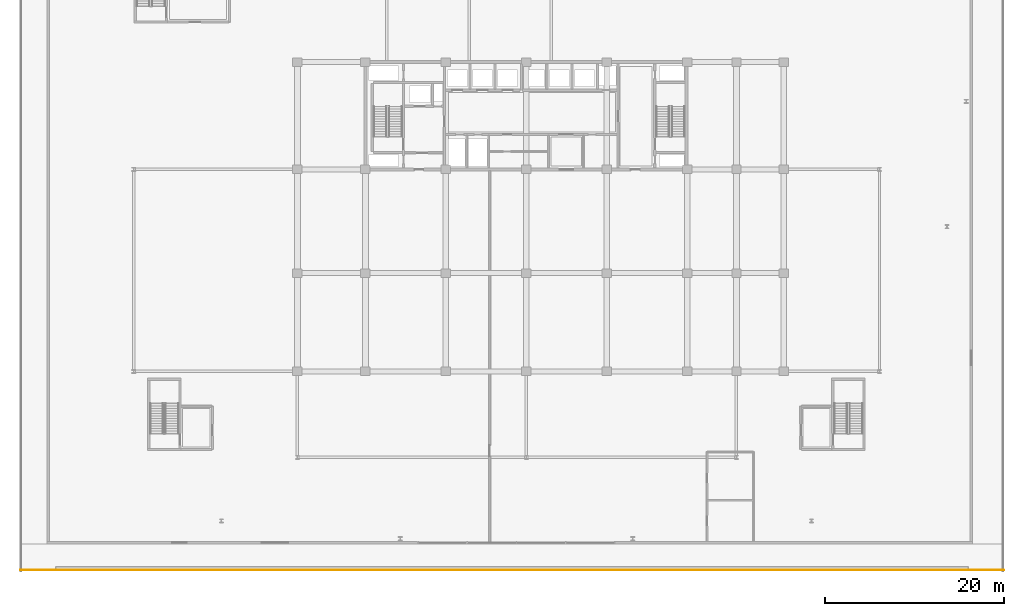
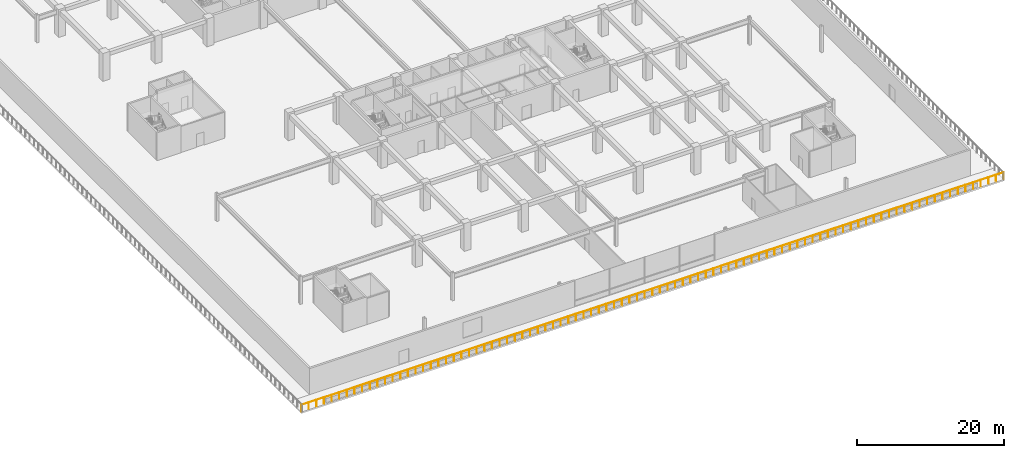
# One storey, part 33 of 45: 1 railing.
"""IFC4 building model written with IfcOpenShell, lengths in metres."""

from ifc_helpers import new_model, si_unit, direction, frame, origin, origin_2d, place, context, subcontext, project, spatial, circle, extrude, material, type_object, element, save


model = new_model("IFC4")

# Units and contexts
model_context = context("Model", 3, precision=1e-05, world=origin(), true_north=direction((0.0, 1.0)))
body_context = subcontext(model_context, "Body", "Model", "MODEL_VIEW")
ifc_project = project(units=[si_unit("LENGTHUNIT", "METRE"), si_unit("AREAUNIT", "SQUARE_METRE"), si_unit("VOLUMEUNIT", "CUBIC_METRE"), si_unit("PLANEANGLEUNIT", "RADIAN"), si_unit("MASSUNIT", "GRAM", prefix="KILO")], contexts=[model_context])

# Site, building, storey
site_placement = place(None, origin())
site = spatial("IfcSite", under=ifc_project, at=site_placement, CompositionType="ELEMENT")
building_placement = place(site_placement, origin())
building = spatial("IfcBuilding", under=site, at=building_placement, Name="Korimba Cascade Residences", CompositionType="ELEMENT")
storey_placement = place(building_placement, frame((0.0, 0.0, 5.39990234375)))
storey = spatial("IfcBuildingStorey", under=building, at=storey_placement, Name="L01", CompositionType="ELEMENT", Elevation=5.39990234375)

# Railing
ifc_material = material(Name="Painted Galvanised Steel Terrace Guardrail", Category="steel")
railing_type = type_object("IfcRailingType", Name="RLG-TER-1150", PredefinedType="GUARDRAIL", material=ifc_material)
railing_placement = place(storey_placement, frame((43.5, -26.419921875, 0.0)))
element("IfcRailing", 1, at=railing_placement, inside=storey, type_object=railing_type, Name="L01 Perimeter Guardrail RLG-L01-TER-01", PredefinedType="GUARDRAIL", context=body_context, shape_type="SweptSolid", body=[
    extrude(circle(Radius=0.02392578125, at=origin_2d()), frame((0.0, 0.0, 1.1259765625), z_axis=(1.0, 0.0, 0.0), x_axis=(0.0, 1.0, 0.0)), (0.0, 0.0, 1.0), 110.0),
    extrude(circle(Radius=0.02099609375, at=origin_2d()), origin(), (0.0, 0.0, 1.0), 1.101806640625),
    extrude(circle(Radius=0.02099609375, at=origin_2d()), frame((1.195556640625, 0.0, 0.0)), (0.0, 0.0, 1.0), 1.101806640625),
    extrude(circle(Radius=0.02099609375, at=origin_2d()), frame((2.391357421875, 0.0, 0.0)), (0.0, 0.0, 1.0), 1.101806640625),
    extrude(circle(Radius=0.02099609375, at=origin_2d()), frame((3.5869140625, 0.0, 0.0)), (0.0, 0.0, 1.0), 1.101806640625),
    extrude(circle(Radius=0.02099609375, at=origin_2d()), frame((4.78271484375, 0.0, 0.0)), (0.0, 0.0, 1.0), 1.101806640625),
    extrude(circle(Radius=0.02099609375, at=origin_2d()), frame((5.978271484375, 0.0, 0.0)), (0.0, 0.0, 1.0), 1.101806640625),
    extrude(circle(Radius=0.02099609375, at=origin_2d()), frame((7.173828125, 0.0, 0.0)), (0.0, 0.0, 1.0), 1.101806640625),
    extrude(circle(Radius=0.02099609375, at=origin_2d()), frame((8.36962890625, 0.0, 0.0)), (0.0, 0.0, 1.0), 1.101806640625),
    extrude(circle(Radius=0.02099609375, at=origin_2d()), frame((9.565185546875, 0.0, 0.0)), (0.0, 0.0, 1.0), 1.101806640625),
    extrude(circle(Radius=0.02099609375, at=origin_2d()), frame((10.760986328125, 0.0, 0.0)), (0.0, 0.0, 1.0), 1.101806640625),
    extrude(circle(Radius=0.02099609375, at=origin_2d()), frame((11.95654296875, 0.0, 0.0)), (0.0, 0.0, 1.0), 1.101806640625),
    extrude(circle(Radius=0.02099609375, at=origin_2d()), frame((13.152099609375, 0.0, 0.0)), (0.0, 0.0, 1.0), 1.101806640625),
    extrude(circle(Radius=0.02099609375, at=origin_2d()), frame((14.347900390625, 0.0, 0.0)), (0.0, 0.0, 1.0), 1.101806640625),
    extrude(circle(Radius=0.02099609375, at=origin_2d()), frame((15.54345703125, 0.0, 0.0)), (0.0, 0.0, 1.0), 1.101806640625),
    extrude(circle(Radius=0.02099609375, at=origin_2d()), frame((16.739013671875, 0.0, 0.0)), (0.0, 0.0, 1.0), 1.101806640625),
    extrude(circle(Radius=0.02099609375, at=origin_2d()), frame((17.934814453125, 0.0, 0.0)), (0.0, 0.0, 1.0), 1.101806640625),
    extrude(circle(Radius=0.02099609375, at=origin_2d()), frame((19.13037109375, 0.0, 0.0)), (0.0, 0.0, 1.0), 1.101806640625),
    extrude(circle(Radius=0.02099609375, at=origin_2d()), frame((20.326171875, 0.0, 0.0)), (0.0, 0.0, 1.0), 1.101806640625),
    extrude(circle(Radius=0.02099609375, at=origin_2d()), frame((21.521728515625, 0.0, 0.0)), (0.0, 0.0, 1.0), 1.101806640625),
    extrude(circle(Radius=0.02099609375, at=origin_2d()), frame((22.71728515625, 0.0, 0.0)), (0.0, 0.0, 1.0), 1.101806640625),
    extrude(circle(Radius=0.02099609375, at=origin_2d()), frame((23.9130859375, 0.0, 0.0)), (0.0, 0.0, 1.0), 1.101806640625),
    extrude(circle(Radius=0.02099609375, at=origin_2d()), frame((25.108642578125, 0.0, 0.0)), (0.0, 0.0, 1.0), 1.101806640625),
    extrude(circle(Radius=0.02099609375, at=origin_2d()), frame((26.304443359375, 0.0, 0.0)), (0.0, 0.0, 1.0), 1.101806640625),
    extrude(circle(Radius=0.02099609375, at=origin_2d()), frame((27.5, 0.0, 0.0)), (0.0, 0.0, 1.0), 1.101806640625),
    extrude(circle(Radius=0.02099609375, at=origin_2d()), frame((28.695556640625, 0.0, 0.0)), (0.0, 0.0, 1.0), 1.101806640625),
    extrude(circle(Radius=0.02099609375, at=origin_2d()), frame((29.891357421875, 0.0, 0.0)), (0.0, 0.0, 1.0), 1.101806640625),
    extrude(circle(Radius=0.02099609375, at=origin_2d()), frame((31.0869140625, 0.0, 0.0)), (0.0, 0.0, 1.0), 1.101806640625),
    extrude(circle(Radius=0.02099609375, at=origin_2d()), frame((32.28271484375, 0.0, 0.0)), (0.0, 0.0, 1.0), 1.101806640625),
    extrude(circle(Radius=0.02099609375, at=origin_2d()), frame((33.478271484375, 0.0, 0.0)), (0.0, 0.0, 1.0), 1.101806640625),
    extrude(circle(Radius=0.02099609375, at=origin_2d()), frame((34.673828125, 0.0, 0.0)), (0.0, 0.0, 1.0), 1.101806640625),
    extrude(circle(Radius=0.02099609375, at=origin_2d()), frame((35.86962890625, 0.0, 0.0)), (0.0, 0.0, 1.0), 1.101806640625),
    extrude(circle(Radius=0.02099609375, at=origin_2d()), frame((37.065185546875, 0.0, 0.0)), (0.0, 0.0, 1.0), 1.101806640625),
    extrude(circle(Radius=0.02099609375, at=origin_2d()), frame((38.260986328125, 0.0, 0.0)), (0.0, 0.0, 1.0), 1.101806640625),
    extrude(circle(Radius=0.02099609375, at=origin_2d()), frame((39.45654296875, 0.0, 0.0)), (0.0, 0.0, 1.0), 1.101806640625),
    extrude(circle(Radius=0.02099609375, at=origin_2d()), frame((40.652099609375, 0.0, 0.0)), (0.0, 0.0, 1.0), 1.101806640625),
    extrude(circle(Radius=0.02099609375, at=origin_2d()), frame((41.847900390625, 0.0, 0.0)), (0.0, 0.0, 1.0), 1.101806640625),
    extrude(circle(Radius=0.02099609375, at=origin_2d()), frame((43.04345703125, 0.0, 0.0)), (0.0, 0.0, 1.0), 1.101806640625),
    extrude(circle(Radius=0.02099609375, at=origin_2d()), frame((44.239013671875, 0.0, 0.0)), (0.0, 0.0, 1.0), 1.101806640625),
    extrude(circle(Radius=0.02099609375, at=origin_2d()), frame((45.434814453125, 0.0, 0.0)), (0.0, 0.0, 1.0), 1.101806640625),
    extrude(circle(Radius=0.02099609375, at=origin_2d()), frame((46.63037109375, 0.0, 0.0)), (0.0, 0.0, 1.0), 1.101806640625),
    extrude(circle(Radius=0.02099609375, at=origin_2d()), frame((47.826171875, 0.0, 0.0)), (0.0, 0.0, 1.0), 1.101806640625),
    extrude(circle(Radius=0.02099609375, at=origin_2d()), frame((49.021728515625, 0.0, 0.0)), (0.0, 0.0, 1.0), 1.101806640625),
    extrude(circle(Radius=0.02099609375, at=origin_2d()), frame((50.21728515625, 0.0, 0.0)), (0.0, 0.0, 1.0), 1.101806640625),
    extrude(circle(Radius=0.02099609375, at=origin_2d()), frame((51.4130859375, 0.0, 0.0)), (0.0, 0.0, 1.0), 1.101806640625),
    extrude(circle(Radius=0.02099609375, at=origin_2d()), frame((52.608642578125, 0.0, 0.0)), (0.0, 0.0, 1.0), 1.101806640625),
    extrude(circle(Radius=0.02099609375, at=origin_2d()), frame((53.804443359375, 0.0, 0.0)), (0.0, 0.0, 1.0), 1.101806640625),
    extrude(circle(Radius=0.02099609375, at=origin_2d()), frame((55.0, 0.0, 0.0)), (0.0, 0.0, 1.0), 1.101806640625),
    extrude(circle(Radius=0.02099609375, at=origin_2d()), frame((56.195556640625, 0.0, 0.0)), (0.0, 0.0, 1.0), 1.101806640625),
    extrude(circle(Radius=0.02099609375, at=origin_2d()), frame((57.391357421875, 0.0, 0.0)), (0.0, 0.0, 1.0), 1.101806640625),
    extrude(circle(Radius=0.02099609375, at=origin_2d()), frame((58.5869140625, 0.0, 0.0)), (0.0, 0.0, 1.0), 1.101806640625),
    extrude(circle(Radius=0.02099609375, at=origin_2d()), frame((59.78271484375, 0.0, 0.0)), (0.0, 0.0, 1.0), 1.101806640625),
    extrude(circle(Radius=0.02099609375, at=origin_2d()), frame((60.978271484375, 0.0, 0.0)), (0.0, 0.0, 1.0), 1.101806640625),
    extrude(circle(Radius=0.02099609375, at=origin_2d()), frame((62.173828125, 0.0, 0.0)), (0.0, 0.0, 1.0), 1.101806640625),
    extrude(circle(Radius=0.02099609375, at=origin_2d()), frame((63.36962890625, 0.0, 0.0)), (0.0, 0.0, 1.0), 1.101806640625),
    extrude(circle(Radius=0.02099609375, at=origin_2d()), frame((64.565185546875, 0.0, 0.0)), (0.0, 0.0, 1.0), 1.101806640625),
    extrude(circle(Radius=0.02099609375, at=origin_2d()), frame((65.760986328125, 0.0, 0.0)), (0.0, 0.0, 1.0), 1.101806640625),
    extrude(circle(Radius=0.02099609375, at=origin_2d()), frame((66.95654296875, 0.0, 0.0)), (0.0, 0.0, 1.0), 1.101806640625),
    extrude(circle(Radius=0.02099609375, at=origin_2d()), frame((68.152099609375, 0.0, 0.0)), (0.0, 0.0, 1.0), 1.101806640625),
    extrude(circle(Radius=0.02099609375, at=origin_2d()), frame((69.347900390625, 0.0, 0.0)), (0.0, 0.0, 1.0), 1.101806640625),
    extrude(circle(Radius=0.02099609375, at=origin_2d()), frame((70.54345703125, 0.0, 0.0)), (0.0, 0.0, 1.0), 1.101806640625),
    extrude(circle(Radius=0.02099609375, at=origin_2d()), frame((71.739013671875, 0.0, 0.0)), (0.0, 0.0, 1.0), 1.101806640625),
    extrude(circle(Radius=0.02099609375, at=origin_2d()), frame((72.934814453125, 0.0, 0.0)), (0.0, 0.0, 1.0), 1.101806640625),
    extrude(circle(Radius=0.02099609375, at=origin_2d()), frame((74.13037109375, 0.0, 0.0)), (0.0, 0.0, 1.0), 1.101806640625),
    extrude(circle(Radius=0.02099609375, at=origin_2d()), frame((75.326171875, 0.0, 0.0)), (0.0, 0.0, 1.0), 1.101806640625),
    extrude(circle(Radius=0.02099609375, at=origin_2d()), frame((76.521728515625, 0.0, 0.0)), (0.0, 0.0, 1.0), 1.101806640625),
    extrude(circle(Radius=0.02099609375, at=origin_2d()), frame((77.71728515625, 0.0, 0.0)), (0.0, 0.0, 1.0), 1.101806640625),
    extrude(circle(Radius=0.02099609375, at=origin_2d()), frame((78.9130859375, 0.0, 0.0)), (0.0, 0.0, 1.0), 1.101806640625),
    extrude(circle(Radius=0.02099609375, at=origin_2d()), frame((80.108642578125, 0.0, 0.0)), (0.0, 0.0, 1.0), 1.101806640625),
    extrude(circle(Radius=0.02099609375, at=origin_2d()), frame((81.304443359375, 0.0, 0.0)), (0.0, 0.0, 1.0), 1.101806640625),
    extrude(circle(Radius=0.02099609375, at=origin_2d()), frame((82.5, 0.0, 0.0)), (0.0, 0.0, 1.0), 1.101806640625),
    extrude(circle(Radius=0.02099609375, at=origin_2d()), frame((83.695556640625, 0.0, 0.0)), (0.0, 0.0, 1.0), 1.101806640625),
    extrude(circle(Radius=0.02099609375, at=origin_2d()), frame((84.891357421875, 0.0, 0.0)), (0.0, 0.0, 1.0), 1.101806640625),
    extrude(circle(Radius=0.02099609375, at=origin_2d()), frame((86.0869140625, 0.0, 0.0)), (0.0, 0.0, 1.0), 1.101806640625),
    extrude(circle(Radius=0.02099609375, at=origin_2d()), frame((87.28271484375, 0.0, 0.0)), (0.0, 0.0, 1.0), 1.101806640625),
    extrude(circle(Radius=0.02099609375, at=origin_2d()), frame((88.478271484375, 0.0, 0.0)), (0.0, 0.0, 1.0), 1.101806640625),
    extrude(circle(Radius=0.02099609375, at=origin_2d()), frame((89.673828125, 0.0, 0.0)), (0.0, 0.0, 1.0), 1.101806640625),
    extrude(circle(Radius=0.02099609375, at=origin_2d()), frame((90.86962890625, 0.0, 0.0)), (0.0, 0.0, 1.0), 1.101806640625),
    extrude(circle(Radius=0.02099609375, at=origin_2d()), frame((92.065185546875, 0.0, 0.0)), (0.0, 0.0, 1.0), 1.101806640625),
    extrude(circle(Radius=0.02099609375, at=origin_2d()), frame((93.260986328125, 0.0, 0.0)), (0.0, 0.0, 1.0), 1.101806640625),
    extrude(circle(Radius=0.02099609375, at=origin_2d()), frame((94.45654296875, 0.0, 0.0)), (0.0, 0.0, 1.0), 1.101806640625),
    extrude(circle(Radius=0.02099609375, at=origin_2d()), frame((95.652099609375, 0.0, 0.0)), (0.0, 0.0, 1.0), 1.101806640625),
    extrude(circle(Radius=0.02099609375, at=origin_2d()), frame((96.847900390625, 0.0, 0.0)), (0.0, 0.0, 1.0), 1.101806640625),
    extrude(circle(Radius=0.02099609375, at=origin_2d()), frame((98.04345703125, 0.0, 0.0)), (0.0, 0.0, 1.0), 1.101806640625),
    extrude(circle(Radius=0.02099609375, at=origin_2d()), frame((99.239013671875, 0.0, 0.0)), (0.0, 0.0, 1.0), 1.101806640625),
    extrude(circle(Radius=0.02099609375, at=origin_2d()), frame((100.434814453125, 0.0, 0.0)), (0.0, 0.0, 1.0), 1.101806640625),
    extrude(circle(Radius=0.02099609375, at=origin_2d()), frame((101.63037109375, 0.0, 0.0)), (0.0, 0.0, 1.0), 1.101806640625),
    extrude(circle(Radius=0.02099609375, at=origin_2d()), frame((102.826171875, 0.0, 0.0)), (0.0, 0.0, 1.0), 1.101806640625),
    extrude(circle(Radius=0.02099609375, at=origin_2d()), frame((104.021728515625, 0.0, 0.0)), (0.0, 0.0, 1.0), 1.101806640625),
    extrude(circle(Radius=0.02099609375, at=origin_2d()), frame((105.21728515625, 0.0, 0.0)), (0.0, 0.0, 1.0), 1.101806640625),
    extrude(circle(Radius=0.02099609375, at=origin_2d()), frame((106.4130859375, 0.0, 0.0)), (0.0, 0.0, 1.0), 1.101806640625),
    extrude(circle(Radius=0.02099609375, at=origin_2d()), frame((107.608642578125, 0.0, 0.0)), (0.0, 0.0, 1.0), 1.101806640625),
    extrude(circle(Radius=0.02099609375, at=origin_2d()), frame((108.804443359375, 0.0, 0.0)), (0.0, 0.0, 1.0), 1.101806640625),
    extrude(circle(Radius=0.02099609375, at=origin_2d()), frame((110.0, 0.0, 0.0)), (0.0, 0.0, 1.0), 1.101806640625),
])

save(model, "model.ifc")
